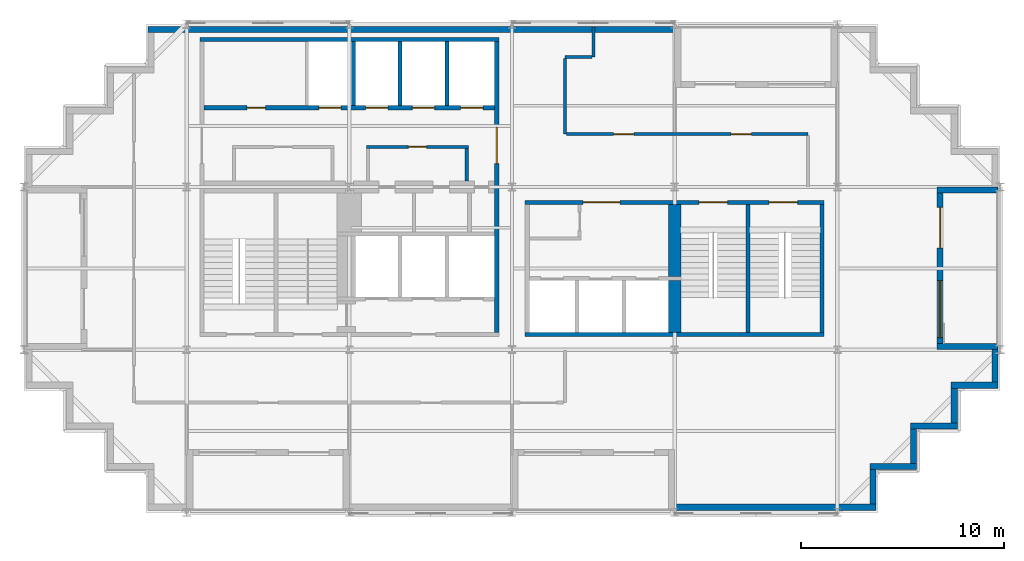
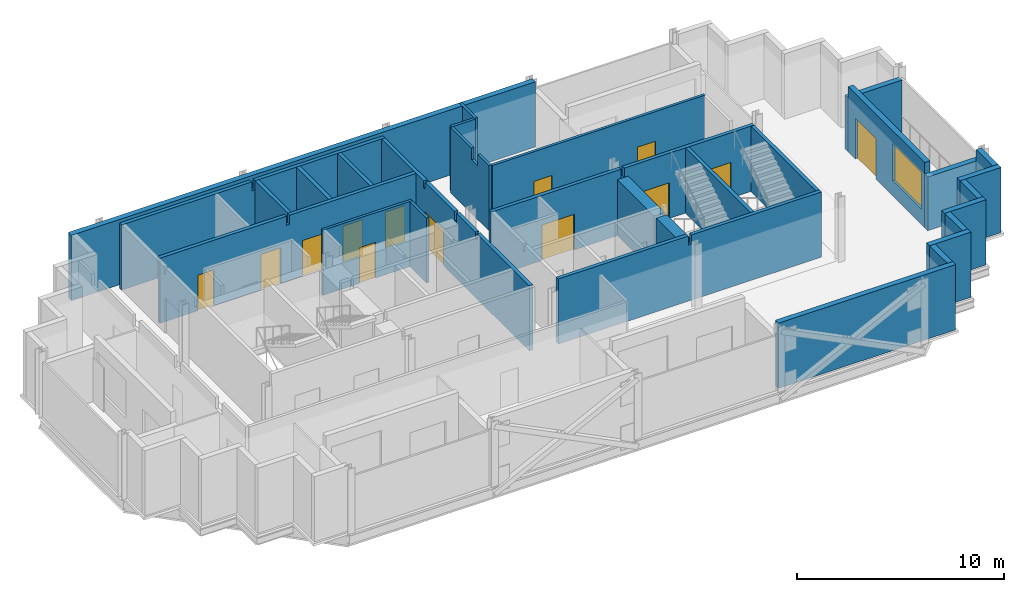
# One storey, part 6 of 8: 30 walls, 13 doors, 1 window, 14 openings.
"""IFC4 building model written with IfcOpenShell, lengths in metres."""

import ifcopenshell
import ifcopenshell.guid

model = None  # the IFC model being written
_history = None  # IfcOwnerHistory: only IFC2X3 demands one
_inside = {}  # id of a spatial element -> (the spatial element, [elements in it])
_under = {}  # id of a project, library or spatial element -> (it, [spatial elements below it])
_declared = {}  # id of a project -> (the project, [libraries it declares])
_typed = {}  # id of a type object -> (the type object, [elements of that type])
_made_of = {}  # id of a material, layer set ... -> (it, [elements and type objects made of it])


def new_model(schema):
    """Start an empty IFC model of exactly this schema.

    Asked for "IFC4X3", IfcOpenShell would pick the latest addendum, in which some entities
    have other attributes; the version numbers below select the first issue.
    IFC2X3 requires an IfcOwnerHistory on every rooted entity: one is made here for all.
    """
    global model, _history
    if schema == "IFC4X3":
        model = ifcopenshell.file(schema_version=(4, 3, 0, 0))
    else:
        model = ifcopenshell.file(schema=schema)
    _inside.clear()
    _under.clear()
    _declared.clear()
    _typed.clear()
    _made_of.clear()
    _history = None
    if model.schema == "IFC2X3":
        org = make("IfcOrganization", Name="unknown")
        user = make(
            "IfcPersonAndOrganization",
            ThePerson=make("IfcPerson", FamilyName="unknown"),
            TheOrganization=org,
        )
        app = make(
            "IfcApplication",
            ApplicationDeveloper=org,
            Version="unknown",
            ApplicationFullName="unknown",
            ApplicationIdentifier="unknown",
        )
        _history = make(
            "IfcOwnerHistory",
            OwningUser=user,
            OwningApplication=app,
            ChangeAction="ADDED",
            CreationDate=0,
        )
    return model


def make(cls, **values):
    """One entity of the class cls with the attributes given. An attribute that is None is left unset."""
    return model.create_entity(
        cls, **{name: value for name, value in values.items() if value is not None}
    )


def rooted(cls, **values):
    """An entity with a GlobalId (a new one), such as an element, a storey or a relation."""
    return make(cls, GlobalId=ifcopenshell.guid.new(), OwnerHistory=_history, **values)


def si_unit(unit_type, name, prefix=None):
    """IfcSIUnit, for example si_unit("LENGTHUNIT", "METRE", prefix="MILLI")."""
    return make("IfcSIUnit", UnitType=unit_type, Prefix=prefix, Name=name)


def assignment(units):
    """IfcUnitAssignment: the units of a project."""
    return None if units is None else make("IfcUnitAssignment", Units=units)


def point(xyz):
    """IfcCartesianPoint."""
    return None if xyz is None else make("IfcCartesianPoint", Coordinates=xyz)


def direction(xyz):
    """IfcDirection."""
    return None if xyz is None else make("IfcDirection", DirectionRatios=xyz)


def frame(location, z_axis=None, x_axis=None):
    """IfcAxis2Placement3D, a coordinate frame: its origin and axes. An axis left out is left unset."""
    return make(
        "IfcAxis2Placement3D",
        Location=point(location),
        Axis=direction(z_axis),
        RefDirection=direction(x_axis),
    )


def frame_2d(location, x_axis=None):
    """IfcAxis2Placement2D, a coordinate frame in the plane: its origin and x axis."""
    return make(
        "IfcAxis2Placement2D", Location=point(location), RefDirection=direction(x_axis)
    )


def origin():
    """The frame at (0, 0, 0) with its axes left unset."""
    return frame((0.0, 0.0, 0.0))


def place(relative_to, where):
    """IfcLocalPlacement: puts the frame where relative to a parent placement (None: the world)."""
    return make(
        "IfcLocalPlacement", PlacementRelTo=relative_to, RelativePlacement=where
    )


def context(
    kind, dimensions, precision=None, world=None, true_north=None, identifier=None
):
    """IfcGeometricRepresentationContext, for example the 3D "Model" context."""
    return make(
        "IfcGeometricRepresentationContext",
        ContextIdentifier=identifier,
        ContextType=kind,
        CoordinateSpaceDimension=dimensions,
        Precision=precision,
        WorldCoordinateSystem=world,
        TrueNorth=true_north,
    )


def subcontext(parent, identifier, kind, view, scale=None):
    """IfcGeometricRepresentationSubContext, for example "Body" below "Model"."""
    return make(
        "IfcGeometricRepresentationSubContext",
        ContextIdentifier=identifier,
        ContextType=kind,
        ParentContext=parent,
        TargetScale=scale,
        TargetView=view,
    )


def project(units=None, contexts=None):
    """IfcProject with its units and contexts."""
    return rooted(
        "IfcProject",
        Name="project",
        RepresentationContexts=contexts,
        UnitsInContext=assignment(units),
    )


def spatial(cls, under=None, at=None, **own):
    """A site, building, storey or space (cls), placed at a placement, below another one or the project."""
    s = rooted(cls, ObjectPlacement=at, **own)
    if under is not None:
        _under.setdefault(under.id(), (under, []))[1].append(s)
    return s


def polyline(points):
    """IfcPolyline through the points."""
    return make("IfcPolyline", Points=[point(p) for p in points])


def profile(cls, at=None, kind="AREA", **sizes):
    """A parametric profile (cls). Its sizes go by their IFC names, for example OverallWidth=200.0."""
    return make(cls, ProfileType=kind, Position=at, **sizes)


def rectangle(**sizes):
    """IfcRectangleProfileDef."""
    return profile("IfcRectangleProfileDef", **sizes)


def outline(outer, holes=None, kind="AREA"):
    """IfcArbitraryClosedProfileDef: a profile drawn as a closed curve; with holes, ...WithVoids."""
    if holes is None:
        return make("IfcArbitraryClosedProfileDef", ProfileType=kind, OuterCurve=outer)
    return make(
        "IfcArbitraryProfileDefWithVoids",
        ProfileType=kind,
        OuterCurve=outer,
        InnerCurves=holes,
    )


def extrude(swept, where, along, depth):
    """IfcExtrudedAreaSolid: the profile swept, set in the frame where, extruded along a direction by depth."""
    return make(
        "IfcExtrudedAreaSolid",
        SweptArea=swept,
        Position=where,
        ExtrudedDirection=direction(along),
        Depth=depth,
    )


def shape(context_of_items, identifier, shape_type, items):
    """IfcShapeRepresentation: the items that make up one representation, for example the "Body"."""
    return make(
        "IfcShapeRepresentation",
        ContextOfItems=context_of_items,
        RepresentationIdentifier=identifier,
        RepresentationType=shape_type,
        Items=items,
    )


def material(Name=None, Category=None):
    """IfcMaterial."""
    return make("IfcMaterial", Name=Name, Category=Category)


def layer(
    of_material, thickness, ventilated=None, Name=None, Category=None, Priority=None
):
    """IfcMaterialLayer: one layer of a wall or slab, of a material (None: an air gap)."""
    return make(
        "IfcMaterialLayer",
        Material=of_material,
        LayerThickness=thickness,
        IsVentilated=ventilated,
        Name=Name,
        Category=Category,
        Priority=Priority,
    )


def layer_set(layers, Name=None):
    """IfcMaterialLayerSet."""
    return make("IfcMaterialLayerSet", MaterialLayers=layers, LayerSetName=Name)


def made_of(thing, what):
    """Note that an element or type object is made of a material, layer set ...; save() writes the relation."""
    if what is not None:
        _made_of.setdefault(what.id(), (what, []))[1].append(thing)
    return thing


def type_object(cls, material=None, **own):
    """A type object (cls), such as IfcWallType, which elements share."""
    return made_of(rooted(cls, **own), material)


def element(
    cls,
    number,
    at=None,
    inside=None,
    cuts=None,
    type_object=None,
    material=None,
    context=None,
    identifier="Body",
    shape_type=None,
    held_by="IfcProductDefinitionShape",
    body=None,
    shapes=None,
    **own,
):
    """One element of the class cls, such as IfcWall. Its Tag is "e" and its number.

    at: its placement. inside: the storey or other place that contains it. cuts: it is an
    opening in that element (IfcRelVoidsElement). A single representation is given by context,
    identifier, shape_type and body (its items); several are given by shapes. held_by: the class
    of the entity that holds the representations. save() writes the other relations.
    """
    e = rooted(cls, Tag="e%d" % number, ObjectPlacement=at, **own)
    if body is not None:
        shapes = [shape(context, identifier, shape_type, body)]
    if shapes is not None:
        e.Representation = make(held_by, Representations=shapes)
    if inside is not None:
        _inside.setdefault(inside.id(), (inside, []))[1].append(e)
    if cuts is not None:
        rooted(
            "IfcRelVoidsElement", RelatingBuildingElement=cuts, RelatedOpeningElement=e
        )
    if type_object is not None:
        _typed.setdefault(type_object.id(), (type_object, []))[1].append(e)
    return made_of(e, material)


def fill(opening, filler):
    """IfcRelFillsElement: the door or window that sits in an opening."""
    return rooted(
        "IfcRelFillsElement",
        RelatingOpeningElement=opening,
        RelatedBuildingElement=filler,
    )


def aggregate(whole, parts):
    """IfcRelAggregates: a whole, such as a stair, and the parts it consists of."""
    return rooted("IfcRelAggregates", RelatingObject=whole, RelatedObjects=parts)


def save(model, path):
    """Write the relations noted so far, then the file.

    IfcRelAggregates (storeys below a building ...), IfcRelContainedInSpatialStructure (elements
    in a storey), IfcRelDefinesByType, IfcRelAssociatesMaterial and IfcRelDeclares: one each for
    every whole, place, type object, material and project.
    """
    for whole, parts in _under.values():
        aggregate(whole, parts)
    for where, things in _inside.values():
        rooted(
            "IfcRelContainedInSpatialStructure",
            RelatedElements=things,
            RelatingStructure=where,
        )
    for kind, things in _typed.values():
        rooted("IfcRelDefinesByType", RelatedObjects=things, RelatingType=kind)
    for what, things in _made_of.values():
        rooted("IfcRelAssociatesMaterial", RelatedObjects=things, RelatingMaterial=what)
    for by, libraries in _declared.values():
        rooted("IfcRelDeclares", RelatingContext=by, RelatedDefinitions=libraries)
    model.write(path)


model = new_model("IFC4")

# Units and contexts
model_context = context("Model", 3, precision=1e-05, world=origin(), true_north=direction((0.0, 1.0)))
body_context = subcontext(model_context, "Body", "Model", "MODEL_VIEW")
ifc_project = project(units=[si_unit("LENGTHUNIT", "METRE"), si_unit("AREAUNIT", "SQUARE_METRE"), si_unit("VOLUMEUNIT", "CUBIC_METRE"), si_unit("PLANEANGLEUNIT", "RADIAN"), si_unit("MASSUNIT", "GRAM", prefix="KILO")], contexts=[model_context])

# Site, building, storey
site_placement = place(None, origin())
site = spatial("IfcSite", under=ifc_project, at=site_placement, CompositionType="ELEMENT")
building_placement = place(site_placement, origin())
building = spatial("IfcBuilding", under=site, at=building_placement, Name="Immortelle Media Tower", CompositionType="ELEMENT")
storey_placement = place(building_placement, frame((0.0, 0.0, 267.0)))
storey = spatial("IfcBuildingStorey", under=building, at=storey_placement, Name="L58", CompositionType="ELEMENT", Elevation=267.0)

# Wall, opening, door
ifc_material_1 = material(Name="Fire-rated gypsum board", Category="gypsum")
ifc_layer_1 = layer(ifc_material_1, 0.02490234375)
ifc_material_2 = material(Name="Steel ASTM A653 SS Gr 50 stud frame with mineral wool", Category="steel")
ifc_layer_2 = layer(ifc_material_2, 0.10009765625)
ifc_layer_3 = layer(ifc_material_1, 0.02490234375)
ifc_layer_set_1 = layer_set([ifc_layer_1, ifc_layer_2, ifc_layer_3], Name="Steel ASTM A653 SS Gr 50 stud frame with mineral wool")
wall_type_1 = type_object("IfcWallType", Name="Core partition 150", PredefinedType="PARTITIONING", material=ifc_layer_set_1)
wall_1_placement = place(storey_placement, frame((16.85009765625, 17.97509765625, 0.0), z_axis=(0.0, 0.0, 1.0), x_axis=(1.0, 0.0, 0.0)))
wall_1 = element("IfcWall", 1, at=wall_1_placement, inside=storey, type_object=wall_type_1, Name="Core partition SW", PredefinedType="PARTITIONING", context=body_context, shape_type="SweptSolid", body=[
    extrude(rectangle(XDim=5.0, YDim=0.14990234375, at=frame_2d((2.5, 0.0))), origin(), (0.0, 0.0, 1.0), 3.85009765625),
])
opening_1_placement = place(wall_1_placement, frame((2.949951171875, 0.0, 0.0), z_axis=(0.0, 0.0, 1.0), x_axis=(-1.0, 0.0, 0.0)))
opening_1 = element("IfcOpeningElement", 2, at=opening_1_placement, cuts=wall_1, Name="Opening X3-K011", PredefinedType="OPENING", context=body_context, shape_type="SweptSolid", body=[
    extrude(rectangle(XDim=0.89990234375, YDim=2.10009765625, at=frame_2d((0.449951171875, 1.050048828125))), frame((0.0, 0.0849609375, 0.0), z_axis=(0.0, -1.0, 0.0), x_axis=(1.0, 0.0, 0.0)), (0.0, 0.0, 1.0), 0.169921875),
])
ifc_material_3 = material(Name="Timber", Category="wood")
door_type_1 = type_object("IfcDoorType", Name="Room door 900 x 2100", OperationType="NOTDEFINED", PredefinedType="NOTDEFINED", material=ifc_material_3)
door_1_placement = place(opening_1_placement, origin())
door_1 = element("IfcDoor", 3, at=door_1_placement, inside=storey, type_object=door_type_1, Name="Room X3-K011", OperationType="SINGLE_SWING_LEFT", OverallHeight=2.10009765625, OverallWidth=0.89990234375, PredefinedType="NOTDEFINED", context=body_context, shape_type="SweptSolid", body=[
    extrude(rectangle(XDim=0.89990234375, YDim=2.10009765625, at=frame_2d((0.449951171875, 1.050048828125))), frame((0.0, 0.02490234375, 0.0), z_axis=(0.0, -1.0, 0.0), x_axis=(1.0, 0.0, 0.0)), (0.0, 0.0, 1.0), 0.050048828125),
])
fill(opening_1, door_1)

# Walls
wall_2_placement = place(storey_placement, frame((21.77490234375, 16.300048828125, 0.0), z_axis=(0.0, 0.0, 1.0), x_axis=(0.0, 1.0, 0.0)))
element("IfcWall", 4, at=wall_2_placement, inside=storey, type_object=wall_type_1, Name="Core partition SW", PredefinedType="PARTITIONING", context=body_context, shape_type="SweptSolid", body=[
    extrude(rectangle(XDim=1.599853515625, YDim=0.14990234375, at=frame_2d((0.7998046875, 0.0))), origin(), (0.0, 0.0, 1.0), 3.85009765625),
])
ifc_layer_4 = layer(ifc_material_1, 0.03759765625)
ifc_layer_5 = layer(ifc_material_2, 0.125)
ifc_layer_6 = layer(ifc_material_1, 0.03759765625)
ifc_layer_set_2 = layer_set([ifc_layer_4, ifc_layer_5, ifc_layer_6], Name="Steel ASTM A653 SS Gr 50 stud frame with mineral wool")
wall_type_2 = type_object("IfcWallType", Name="Core shaft wall 200", PredefinedType="PARTITIONING", material=ifc_layer_set_2)
wall_3_placement = place(storey_placement, frame((8.64990234375, 23.25, 0.0), z_axis=(0.0, 0.0, 1.0), x_axis=(1.0, 0.0, 0.0)))
element("IfcWall", 5, at=wall_3_placement, inside=storey, type_object=wall_type_2, Name="Core shaft wall SW", PredefinedType="PARTITIONING", context=body_context, shape_type="SweptSolid", body=[
    extrude(outline(polyline([(0.0, 0.0), (14.7001953125, 0.0), (14.699951171875, 3.85009765625), (7.4384765625, 3.85009765625), (7.4375, 3.30810546875), (7.262451171875, 3.30810546875), (7.261474609375, 3.85009765625), (0.0, 3.85009765625), (0.0, 0.0)])), frame((0.0, 0.10009765625, 0.0), z_axis=(0.0, -1.0, 0.0), x_axis=(1.0, 0.0, 0.0)), (0.0, 0.0, 1.0), 0.199951171875),
])

# Wall, openings, doors
wall_4_placement = place(storey_placement, frame((8.85009765625, 19.89990234375, 0.0), z_axis=(0.0, 0.0, 1.0), x_axis=(1.0, 0.0, 0.0)))
wall_4 = element("IfcWall", 6, at=wall_4_placement, inside=storey, type_object=wall_type_2, Name="Core shaft wall SW", PredefinedType="PARTITIONING", context=body_context, shape_type="SweptSolid", body=[
    extrude(outline(polyline([(0.0, 0.0), (14.2998046875, 0.0), (14.300048828125, 3.85009765625), (7.238525390625, 3.85009765625), (7.237548828125, 3.30810546875), (7.0625, 3.30810546875), (7.0615234375, 3.85009765625), (0.0, 3.85009765625), (0.0, 0.0)])), frame((0.0, 0.10009765625, 0.0), z_axis=(0.0, -1.0, 0.0), x_axis=(1.0, 0.0, 0.0)), (0.0, 0.0, 1.0), 0.199951171875),
])
opening_2_placement = place(wall_4_placement, frame((2.125, 0.0, 0.0)))
opening_2 = element("IfcOpeningElement", 7, at=opening_2_placement, cuts=wall_4, Name="Opening X3-K003", PredefinedType="OPENING", context=body_context, shape_type="SweptSolid", body=[
    extrude(rectangle(XDim=0.89990234375, YDim=2.10009765625, at=frame_2d((0.449951171875, 1.050048828125))), frame((0.0, 0.10986328125, 0.0), z_axis=(0.0, -1.0, 0.0), x_axis=(1.0, 0.0, 0.0)), (0.0, 0.0, 1.0), 0.219970703125),
])
opening_3_placement = place(wall_4_placement, frame((5.64990234375, 0.0, 0.0)))
opening_3 = element("IfcOpeningElement", 8, at=opening_3_placement, cuts=wall_4, Name="Opening LD", PredefinedType="OPENING", context=body_context, shape_type="SweptSolid", body=[
    extrude(rectangle(XDim=1.10009765625, YDim=2.10009765625, at=frame_2d((0.550048828125, 1.050048828125))), frame((0.0, 0.10986328125, 0.0), z_axis=(0.0, -1.0, 0.0), x_axis=(1.0, 0.0, 0.0)), (0.0, 0.0, 1.0), 0.219970703125),
])
opening_4_placement = place(wall_4_placement, frame((7.949951171875, 0.0, 0.0)))
opening_4 = element("IfcOpeningElement", 9, at=opening_4_placement, cuts=wall_4, Name="Opening LD", PredefinedType="OPENING", context=body_context, shape_type="SweptSolid", body=[
    extrude(rectangle(XDim=1.10009765625, YDim=2.10009765625, at=frame_2d((0.550048828125, 1.050048828125))), frame((0.0, 0.10986328125, 0.0), z_axis=(0.0, -1.0, 0.0), x_axis=(1.0, 0.0, 0.0)), (0.0, 0.0, 1.0), 0.219970703125),
])
opening_5_placement = place(wall_4_placement, frame((10.25, 0.0, 0.0)))
opening_5 = element("IfcOpeningElement", 10, at=opening_5_placement, cuts=wall_4, Name="Opening LD", PredefinedType="OPENING", context=body_context, shape_type="SweptSolid", body=[
    extrude(rectangle(XDim=1.10009765625, YDim=2.10009765625, at=frame_2d((0.550048828125, 1.050048828125))), frame((0.0, 0.10986328125, 0.0), z_axis=(0.0, -1.0, 0.0), x_axis=(1.0, 0.0, 0.0)), (0.0, 0.0, 1.0), 0.219970703125),
])
opening_6_placement = place(wall_4_placement, frame((12.625, 0.0, 0.0)))
opening_6 = element("IfcOpeningElement", 11, at=opening_6_placement, cuts=wall_4, Name="Opening LD", PredefinedType="OPENING", context=body_context, shape_type="SweptSolid", body=[
    extrude(rectangle(XDim=1.10009765625, YDim=2.10009765625, at=frame_2d((0.550048828125, 1.050048828125))), frame((0.0, 0.10986328125, 0.0), z_axis=(0.0, -1.0, 0.0), x_axis=(1.0, 0.0, 0.0)), (0.0, 0.0, 1.0), 0.219970703125),
])
ifc_material_4 = material(Name="Stainless steel AISI 304", Category="steel")
door_type_2 = type_object("IfcDoorType", Name="Landing door 1100 x 2100", OperationType="SLIDING_TO_LEFT", PredefinedType="NOTDEFINED", material=ifc_material_4)
door_2_placement = place(opening_3_placement, origin())
door_2 = element("IfcDoor", 12, at=door_2_placement, inside=storey, type_object=door_type_2, Name="Landing door HR1 L58", OperationType="SLIDING_TO_LEFT", OverallHeight=2.10009765625, OverallWidth=1.10009765625, PredefinedType="NOTDEFINED", context=body_context, shape_type="SweptSolid", body=[
    extrude(rectangle(XDim=1.10009765625, YDim=2.10009765625, at=frame_2d((0.550048828125, 1.050048828125))), frame((0.0, 0.02490234375, 0.0), z_axis=(0.0, -1.0, 0.0), x_axis=(1.0, 0.0, 0.0)), (0.0, 0.0, 1.0), 0.050048828125),
])
fill(opening_3, door_2)
door_3_placement = place(opening_4_placement, origin())
door_3 = element("IfcDoor", 13, at=door_3_placement, inside=storey, type_object=door_type_2, Name="Landing door HR2 L58", OperationType="SLIDING_TO_LEFT", OverallHeight=2.10009765625, OverallWidth=1.10009765625, PredefinedType="NOTDEFINED", context=body_context, shape_type="SweptSolid", body=[
    extrude(rectangle(XDim=1.10009765625, YDim=2.10009765625, at=frame_2d((0.550048828125, 1.050048828125))), frame((0.0, 0.02490234375, 0.0), z_axis=(0.0, -1.0, 0.0), x_axis=(1.0, 0.0, 0.0)), (0.0, 0.0, 1.0), 0.050048828125),
])
fill(opening_4, door_3)
door_4_placement = place(opening_5_placement, origin())
door_4 = element("IfcDoor", 14, at=door_4_placement, inside=storey, type_object=door_type_2, Name="Landing door HR3 L58", OperationType="SLIDING_TO_LEFT", OverallHeight=2.10009765625, OverallWidth=1.10009765625, PredefinedType="NOTDEFINED", context=body_context, shape_type="SweptSolid", body=[
    extrude(rectangle(XDim=1.10009765625, YDim=2.10009765625, at=frame_2d((0.550048828125, 1.050048828125))), frame((0.0, 0.02490234375, 0.0), z_axis=(0.0, -1.0, 0.0), x_axis=(1.0, 0.0, 0.0)), (0.0, 0.0, 1.0), 0.050048828125),
])
fill(opening_5, door_4)
door_5_placement = place(opening_6_placement, origin())
door_5 = element("IfcDoor", 15, at=door_5_placement, inside=storey, type_object=door_type_2, Name="Landing door HR4 L58", OperationType="SLIDING_TO_LEFT", OverallHeight=2.10009765625, OverallWidth=1.10009765625, PredefinedType="NOTDEFINED", context=body_context, shape_type="SweptSolid", body=[
    extrude(rectangle(XDim=1.10009765625, YDim=2.10009765625, at=frame_2d((0.550048828125, 1.050048828125))), frame((0.0, 0.02490234375, 0.0), z_axis=(0.0, -1.0, 0.0), x_axis=(1.0, 0.0, 0.0)), (0.0, 0.0, 1.0), 0.050048828125),
])
fill(opening_6, door_5)
door_6_placement = place(opening_2_placement, origin())
door_6 = element("IfcDoor", 16, at=door_6_placement, inside=storey, type_object=door_type_1, Name="Room X3-K003", OperationType="SINGLE_SWING_LEFT", OverallHeight=2.10009765625, OverallWidth=0.89990234375, PredefinedType="NOTDEFINED", context=body_context, shape_type="SweptSolid", body=[
    extrude(rectangle(XDim=0.89990234375, YDim=2.10009765625, at=frame_2d((0.449951171875, 1.050048828125))), frame((0.0, 0.02490234375, 0.0), z_axis=(0.0, -1.0, 0.0), x_axis=(1.0, 0.0, 0.0)), (0.0, 0.0, 1.0), 0.050048828125),
])
fill(opening_2, door_6)

# Walls
for number, where, z_axis, x_axis, name in (
    (17, (16.199951171875, 20.0, 0.0), (0.0, 0.0, 1.0), (0.0, 1.0, 0.0), "Core shaft wall SW"),
    (18, (18.5, 20.0, 0.0), (0.0, 0.0, 1.0), (0.0, 1.0, 0.0), "Core shaft wall SW"),
    (19, (20.800048828125, 20.0, 0.0), (0.0, 0.0, 1.0), (0.0, 1.0, 0.0), "Core shaft wall SW"),
):
    element("IfcWall", number, at=place(storey_placement, frame(where, z_axis=z_axis, x_axis=x_axis)), inside=storey, type_object=wall_type_2, Name=name, PredefinedType="PARTITIONING", context=body_context, shape_type="SweptSolid", body=[
        extrude(rectangle(XDim=3.14990234375, YDim=0.199951171875, at=frame_2d((1.574951171875, 0.0))), origin(), (0.0, 0.0, 1.0), 3.85009765625),
    ])

# Wall, opening, door
wall_5_placement = place(storey_placement, frame((23.25, 8.85009765625, 0.0), z_axis=(0.0, 0.0, 1.0), x_axis=(0.0, 1.0, 0.0)))
wall_5 = element("IfcWall", 20, at=wall_5_placement, inside=storey, type_object=wall_type_2, Name="Core shaft wall SW", PredefinedType="PARTITIONING", context=body_context, shape_type="SweptSolid", body=[
    extrude(outline(polyline([(0.0, 0.0), (14.2998046875, 0.0), (14.300048828125, 3.85009765625), (10.22509765625, 3.85009765625), (10.22412109375, 3.43994140625), (10.075927734375, 3.43994140625), (10.074951171875, 3.85009765625), (7.238525390625, 3.85009765625), (7.237548828125, 3.30810546875), (7.0625, 3.30810546875), (7.0615234375, 3.85009765625), (5.22509765625, 3.85009765625), (5.22412109375, 3.43994140625), (5.075927734375, 3.43994140625), (5.074951171875, 3.85009765625), (0.0, 3.85009765625), (0.0, 0.0)])), frame((0.0, 0.10009765625, 0.0), z_axis=(0.0, -1.0, 0.0), x_axis=(1.0, 0.0, 0.0)), (0.0, 0.0, 1.0), 0.199951171875),
])
opening_7_placement = place(wall_5_placement, frame((8.300048828125, 0.0, 0.0)))
opening_7 = element("IfcOpeningElement", 21, at=opening_7_placement, cuts=wall_5, Name="Opening X3-K019", PredefinedType="OPENING", context=body_context, shape_type="SweptSolid", body=[
    extrude(rectangle(XDim=1.800048828125, YDim=2.10009765625, at=frame_2d((0.89990234375, 1.050048828125))), frame((0.0, 0.10986328125, 0.0), z_axis=(0.0, -1.0, 0.0), x_axis=(1.0, 0.0, 0.0)), (0.0, 0.0, 1.0), 0.219970703125),
])
ifc_material_5 = material(Name="Galvanised steel door leaf and frame ASTM A653", Category="steel")
door_type_3 = type_object("IfcDoorType", Name="Lift lobby door 1800 x 2100", OperationType="DOUBLE_DOOR_SINGLE_SWING", PredefinedType="NOTDEFINED", material=ifc_material_5)
door_7_placement = place(opening_7_placement, origin())
door_7 = element("IfcDoor", 22, at=door_7_placement, inside=storey, type_object=door_type_3, Name="Lift lobby X3-K019", OperationType="DOUBLE_DOOR_SINGLE_SWING", OverallHeight=2.10009765625, OverallWidth=1.800048828125, PredefinedType="NOTDEFINED", context=body_context, shape_type="SweptSolid", body=[
    extrude(rectangle(XDim=1.800048828125, YDim=2.10009765625, at=frame_2d((0.89990234375, 1.050048828125))), frame((0.0, 0.02490234375, 0.0), z_axis=(0.0, -1.0, 0.0), x_axis=(1.0, 0.0, 0.0)), (0.0, 0.0, 1.0), 0.050048828125),
])
fill(opening_7, door_7)

# Wall, openings, doors
ifc_layer_7 = layer(ifc_material_1, 0.012451171875)
ifc_layer_8 = layer(ifc_material_2, 0.125)
ifc_layer_9 = layer(ifc_material_1, 0.012451171875)
ifc_layer_set_3 = layer_set([ifc_layer_7, ifc_layer_8, ifc_layer_9], Name="Steel ASTM A653 SS Gr 50 stud frame with mineral wool")
wall_type_3 = type_object("IfcWallType", Name="Corridor wall 150", PredefinedType="PARTITIONING", material=ifc_layer_set_3)
wall_6_placement = place(storey_placement, frame((26.675048828125, 18.60009765625, 0.0), z_axis=(0.0, 0.0, 1.0), x_axis=(1.0, 0.0, 0.0)))
wall_6 = element("IfcWall", 23, at=wall_6_placement, inside=storey, type_object=wall_type_3, Name="Partition L58-011", PredefinedType="PARTITIONING", context=body_context, shape_type="SweptSolid", body=[
    extrude(rectangle(XDim=11.875, YDim=0.14990234375, at=frame_2d((5.9375, 0.0))), origin(), (0.0, 0.0, 1.0), 3.85009765625),
])
opening_8_placement = place(wall_6_placement, frame((8.10009765625, 0.0, 0.0)))
opening_8 = element("IfcOpeningElement", 24, at=opening_8_placement, cuts=wall_6, Name="Opening X3-F007", PredefinedType="OPENING", context=body_context, shape_type="SweptSolid", body=[
    extrude(rectangle(XDim=1.0, YDim=2.10009765625, at=frame_2d((0.5, 1.050048828125))), frame((0.0, 0.0849609375, 0.0), z_axis=(0.0, -1.0, 0.0), x_axis=(1.0, 0.0, 0.0)), (0.0, 0.0, 1.0), 0.169921875),
])
opening_9_placement = place(wall_6_placement, frame((2.324951171875, 0.0, 0.0)))
opening_9 = element("IfcOpeningElement", 25, at=opening_9_placement, cuts=wall_6, Name="Opening X3-F008", PredefinedType="OPENING", context=body_context, shape_type="SweptSolid", body=[
    extrude(rectangle(XDim=1.0, YDim=2.10009765625, at=frame_2d((0.5, 1.050048828125))), frame((0.0, 0.0849609375, 0.0), z_axis=(0.0, -1.0, 0.0), x_axis=(1.0, 0.0, 0.0)), (0.0, 0.0, 1.0), 0.169921875),
])
ifc_material_6 = material(Name="Timber veneered door leaf, galvanised steel frame ASTM A653", Category="steel")
door_type_4 = type_object("IfcDoorType", Name="Room door 1000 x 2100", OperationType="NOTDEFINED", PredefinedType="DOOR", material=ifc_material_6)
door_8_placement = place(opening_8_placement, origin())
door_8 = element("IfcDoor", 26, at=door_8_placement, inside=storey, type_object=door_type_4, Name="Door X3-F007", OperationType="SINGLE_SWING_LEFT", OverallHeight=2.10009765625, OverallWidth=1.0, PredefinedType="DOOR", context=body_context, shape_type="SweptSolid", body=[
    extrude(rectangle(XDim=1.0, YDim=2.10009765625, at=frame_2d((0.5, 1.050048828125))), frame((0.0, 0.02490234375, 0.0), z_axis=(0.0, -1.0, 0.0), x_axis=(1.0, 0.0, 0.0)), (0.0, 0.0, 1.0), 0.050048828125),
])
fill(opening_8, door_8)
door_9_placement = place(opening_9_placement, origin())
door_9 = element("IfcDoor", 27, at=door_9_placement, inside=storey, type_object=door_type_4, Name="Door X3-F008", OperationType="SINGLE_SWING_RIGHT", OverallHeight=2.10009765625, OverallWidth=1.0, PredefinedType="DOOR", context=body_context, shape_type="SweptSolid", body=[
    extrude(rectangle(XDim=1.0, YDim=2.10009765625, at=frame_2d((0.5, 1.050048828125))), frame((0.0, 0.02490234375, 0.0), z_axis=(0.0, -1.0, 0.0), x_axis=(1.0, 0.0, 0.0)), (0.0, 0.0, 1.0), 0.050048828125),
])
fill(opening_9, door_9)

# Walls
wall_7_placement = place(storey_placement, frame((26.60009765625, 18.60009765625, 0.0), z_axis=(0.0, 0.0, 1.0), x_axis=(0.0, 1.0, 0.0)))
element("IfcWall", 28, at=wall_7_placement, inside=storey, type_object=wall_type_3, Name="Partition L58-012", PredefinedType="PARTITIONING", context=body_context, shape_type="SweptSolid", body=[
    extrude(outline(polyline([(0.0, 0.0), (3.724853515625, 0.0), (3.72509765625, 3.85009765625), (1.699951171875, 3.85009765625), (1.697998046875, 3.172119140625), (1.10205078125, 3.172119140625), (1.10009765625, 3.85009765625), (0.0, 3.85009765625), (0.0, 0.0)])), frame((0.0, 0.074951171875, 0.0), z_axis=(0.0, -1.0, 0.0), x_axis=(1.0, 0.0, 0.0)), (0.0, 0.0, 1.0), 0.14990234375),
])
wall_8_placement = place(storey_placement, frame((26.60009765625, 22.39990234375, 0.0), z_axis=(0.0, 0.0, 1.0), x_axis=(1.0, 0.0, 0.0)))
element("IfcWall", 29, at=wall_8_placement, inside=storey, type_object=wall_type_3, Name="Partition L58-014", PredefinedType="PARTITIONING", context=body_context, shape_type="SweptSolid", body=[
    extrude(rectangle(XDim=1.324951171875, YDim=0.14990234375, at=frame_2d((0.66259765625, 0.0))), origin(), (0.0, 0.0, 1.0), 3.85009765625),
])
wall_9_placement = place(storey_placement, frame((28.0, 22.39990234375, 0.0), z_axis=(0.0, 0.0, 1.0), x_axis=(0.0, 1.0, 0.0)))
element("IfcWall", 30, at=wall_9_placement, inside=storey, type_object=wall_type_3, Name="Partition L58-015", PredefinedType="PARTITIONING", context=body_context, shape_type="SweptSolid", body=[
    extrude(rectangle(XDim=1.47021484375, YDim=0.14990234375, at=frame_2d((0.735107421875, 0.0))), origin(), (0.0, 0.0, 1.0), 3.85009765625),
])
ifc_material_7 = material(Name="Pale aluminium cladding panel", Category="aluminium")
ifc_layer_10 = layer(ifc_material_7, 0.030029296875)
ifc_layer_11 = layer(ifc_material_2, 0.257568359375)
ifc_material_8 = material(Name="Moisture-resistant gypsum board", Category="gypsum")
ifc_layer_12 = layer(ifc_material_8, 0.012451171875)
ifc_layer_set_4 = layer_set([ifc_layer_10, ifc_layer_11, ifc_layer_12], Name="Steel ASTM A653 SS Gr 50 stud frame with mineral wool")
wall_type_4 = type_object("IfcWallType", Name="Facade wall 300", PredefinedType="SOLIDWALL", material=ifc_layer_set_4)
wall_10_placement = place(storey_placement, frame((32.0, 0.25, 0.0), z_axis=(0.0, 0.0, 1.0), x_axis=(1.0, 0.0, 0.0)))
element("IfcWall", 31, at=wall_10_placement, inside=storey, type_object=wall_type_4, Name="Facade wall L58 S6", PredefinedType="SOLIDWALL", context=body_context, shape_type="SweptSolid", body=[
    extrude(rectangle(XDim=9.89990234375, YDim=0.300048828125, at=frame_2d((4.949951171875, 0.0))), origin(), (0.0, 0.0, 1.0), 3.85009765625),
])
wall_11_placement = place(storey_placement, frame((41.75, 0.39990234375, 0.0), z_axis=(0.0, 0.0, 1.0), x_axis=(0.0, 1.0, 0.0)))
element("IfcWall", 32, at=wall_11_placement, inside=storey, type_object=wall_type_4, Name="Facade wall L58 E7", PredefinedType="SOLIDWALL", context=body_context, shape_type="SweptSolid", body=[
    extrude(rectangle(XDim=1.7001953125, YDim=0.300048828125, at=frame_2d((0.85009765625, 0.0))), origin(), (0.0, 0.0, 1.0), 3.85009765625),
])
wall_12_placement = place(storey_placement, frame((41.60009765625, 2.25, 0.0), z_axis=(0.0, 0.0, 1.0), x_axis=(1.0, 0.0, 0.0)))
element("IfcWall", 33, at=wall_12_placement, inside=storey, type_object=wall_type_4, Name="Facade wall L58 S8", PredefinedType="SOLIDWALL", context=body_context, shape_type="SweptSolid", body=[
    extrude(rectangle(XDim=2.2998046875, YDim=0.300048828125, at=frame_2d((1.14990234375, 0.0))), origin(), (0.0, 0.0, 1.0), 3.85009765625),
])
wall_13_placement = place(storey_placement, frame((43.75, 2.39990234375, 0.0), z_axis=(0.0, 0.0, 1.0), x_axis=(0.0, 1.0, 0.0)))
element("IfcWall", 34, at=wall_13_placement, inside=storey, type_object=wall_type_4, Name="Facade wall L58 E9", PredefinedType="SOLIDWALL", context=body_context, shape_type="SweptSolid", body=[
    extrude(rectangle(XDim=1.7001953125, YDim=0.300048828125, at=frame_2d((0.85009765625, 0.0))), origin(), (0.0, 0.0, 1.0), 3.85009765625),
])
wall_14_placement = place(storey_placement, frame((43.60009765625, 4.25, 0.0), z_axis=(0.0, 0.0, 1.0), x_axis=(1.0, 0.0, 0.0)))
element("IfcWall", 35, at=wall_14_placement, inside=storey, type_object=wall_type_4, Name="Facade wall L58 S10", PredefinedType="SOLIDWALL", context=body_context, shape_type="SweptSolid", body=[
    extrude(rectangle(XDim=2.2998046875, YDim=0.300048828125, at=frame_2d((1.14990234375, 0.0))), origin(), (0.0, 0.0, 1.0), 3.85009765625),
])
wall_15_placement = place(storey_placement, frame((45.75, 4.39990234375, 0.0), z_axis=(0.0, 0.0, 1.0), x_axis=(0.0, 1.0, 0.0)))
element("IfcWall", 36, at=wall_15_placement, inside=storey, type_object=wall_type_4, Name="Facade wall L58 E11", PredefinedType="SOLIDWALL", context=body_context, shape_type="SweptSolid", body=[
    extrude(rectangle(XDim=1.7001953125, YDim=0.300048828125, at=frame_2d((0.85009765625, 0.0))), origin(), (0.0, 0.0, 1.0), 3.85009765625),
])
wall_16_placement = place(storey_placement, frame((45.60009765625, 6.25, 0.0), z_axis=(0.0, 0.0, 1.0), x_axis=(1.0, 0.0, 0.0)))
element("IfcWall", 37, at=wall_16_placement, inside=storey, type_object=wall_type_4, Name="Facade wall L58 S12", PredefinedType="SOLIDWALL", context=body_context, shape_type="SweptSolid", body=[
    extrude(rectangle(XDim=2.2998046875, YDim=0.300048828125, at=frame_2d((1.14990234375, 0.0))), origin(), (0.0, 0.0, 1.0), 3.85009765625),
])
wall_17_placement = place(storey_placement, frame((47.75, 6.39990234375, 0.0), z_axis=(0.0, 0.0, 1.0), x_axis=(0.0, 1.0, 0.0)))
element("IfcWall", 38, at=wall_17_placement, inside=storey, type_object=wall_type_4, Name="Facade wall L58 E13", PredefinedType="SOLIDWALL", context=body_context, shape_type="SweptSolid", body=[
    extrude(rectangle(XDim=1.60009765625, YDim=0.300048828125, at=frame_2d((0.800048828125, 0.0))), origin(), (0.0, 0.0, 1.0), 3.85009765625),
])

# Wall, openings, door, window
wall_18_placement = place(storey_placement, frame((45.050048828125, 8.300048828125, 0.0), z_axis=(0.0, 0.0, 1.0), x_axis=(0.0, 1.0, 0.0)))
wall_18 = element("IfcWall", 39, at=wall_18_placement, inside=storey, type_object=wall_type_4, Name="Loggia wall L58 E13", PredefinedType="SOLIDWALL", context=body_context, shape_type="SweptSolid", body=[
    extrude(rectangle(XDim=7.39990234375, YDim=0.300048828125, at=frame_2d((3.699951171875, 0.0))), origin(), (0.0, 0.0, 1.0), 3.85009765625),
])
opening_10_placement = place(wall_18_placement, frame((0.300048828125, 0.0, 0.89990234375)))
opening_10 = element("IfcOpeningElement", 40, at=opening_10_placement, cuts=wall_18, Name="Opening W1", PredefinedType="OPENING", context=body_context, shape_type="SweptSolid", body=[
    extrude(rectangle(XDim=2.800048828125, YDim=2.199951171875, at=frame_2d((1.39990234375, 1.10009765625))), frame((0.0, 0.159912109375, 0.0), z_axis=(0.0, -1.0, 0.0), x_axis=(1.0, 0.0, 0.0)), (0.0, 0.0, 1.0), 0.320068359375),
])
opening_11_placement = place(wall_18_placement, frame((4.699951171875, 0.0, 0.0)))
opening_11 = element("IfcOpeningElement", 41, at=opening_11_placement, cuts=wall_18, Name="Opening X3-E003", PredefinedType="OPENING", context=body_context, shape_type="SweptSolid", body=[
    extrude(rectangle(XDim=2.0, YDim=2.39990234375, at=frame_2d((1.0, 1.199951171875))), frame((0.0, 0.159912109375, 0.0), z_axis=(0.0, -1.0, 0.0), x_axis=(1.0, 0.0, 0.0)), (0.0, 0.0, 1.0), 0.320068359375),
])
ifc_material_9 = material(Name="Aluminium frame, glazed leaves", Category="aluminium")
door_type_5 = type_object("IfcDoorType", Name="Loggia door 2000 x 2400", OperationType="DOUBLE_DOOR_SINGLE_SWING", PredefinedType="DOOR", material=ifc_material_9)
door_10_placement = place(opening_11_placement, origin())
door_10 = element("IfcDoor", 42, at=door_10_placement, inside=storey, type_object=door_type_5, Name="Door X3-E003", OperationType="DOUBLE_DOOR_SINGLE_SWING", OverallHeight=2.39990234375, OverallWidth=2.0, PredefinedType="DOOR", context=body_context, shape_type="SweptSolid", body=[
    extrude(rectangle(XDim=2.0, YDim=2.39990234375, at=frame_2d((1.0, 1.199951171875))), frame((0.0, 0.02490234375, 0.0), z_axis=(0.0, -1.0, 0.0), x_axis=(1.0, 0.0, 0.0)), (0.0, 0.0, 1.0), 0.050048828125),
])
fill(opening_11, door_10)
ifc_material_10 = material(Name="Aluminium frame", Category="aluminium")
window_type = type_object("IfcWindowType", Name="Window 2800 x 2200", PartitioningType="SINGLE_PANEL", PredefinedType="WINDOW", material=ifc_material_10)
window_placement = place(opening_10_placement, origin())
window = element("IfcWindow", 43, at=window_placement, inside=storey, type_object=window_type, Name="Window L58 L58-R13-B0", OverallHeight=2.199951171875, OverallWidth=2.800048828125, PartitioningType="SINGLE_PANEL", PredefinedType="WINDOW", context=body_context, shape_type="SweptSolid", body=[
    extrude(rectangle(XDim=2.800048828125, YDim=2.199951171875, at=frame_2d((1.39990234375, 1.10009765625))), frame((0.0, 0.030029296875, 0.0), z_axis=(0.0, -1.0, 0.0), x_axis=(1.0, 0.0, 0.0)), (0.0, 0.0, 1.0), 0.06005859375),
])
fill(opening_10, window)

# Walls
for number, where, z_axis, x_axis, name in (
    (44, (47.89990234375, 8.14990234375, 0.0), (0.0, 0.0, 1.0), (-1.0, 0.0, 0.0), "Loggia cheek wall L58 E"),
    (45, (47.89990234375, 15.85009765625, 0.0), (0.0, 0.0, 1.0), (-1.0, 0.0, 0.0), "Loggia cheek wall L58 E"),
):
    element("IfcWall", number, at=place(storey_placement, frame(where, z_axis=z_axis, x_axis=x_axis)), inside=storey, type_object=wall_type_4, Name=name, PredefinedType="SOLIDWALL", context=body_context, shape_type="SweptSolid", body=[
        extrude(rectangle(XDim=3.0, YDim=0.300048828125, at=frame_2d((1.5, 0.0))), origin(), (0.0, 0.0, 1.0), 3.1708984375),
    ])
wall_19_placement = place(storey_placement, frame((32.0, 23.75, 0.0), z_axis=(0.0, 0.0, 1.0), x_axis=(-1.0, 0.0, 0.0)))
element("IfcWall", 46, at=wall_19_placement, inside=storey, type_object=wall_type_4, Name="Facade wall L58 N20", PredefinedType="SOLIDWALL", context=body_context, shape_type="SweptSolid", body=[
    extrude(rectangle(XDim=25.89990234375, YDim=0.300048828125, at=frame_2d((12.949951171875, 0.0))), origin(), (0.0, 0.0, 1.0), 3.85009765625),
])
ifc_material_11 = material(Name="Concrete C60", Category="concrete")
ifc_layer_13 = layer(ifc_material_11, 0.199951171875)
ifc_layer_set_5 = layer_set([ifc_layer_13], Name="Concrete C60")
wall_type_5 = type_object("IfcWallType", Name="Stair shaft wall 200", PredefinedType="PARTITIONING", material=ifc_layer_set_5)
wall_20_placement = place(storey_placement, frame((24.64990234375, 8.75, 0.0), z_axis=(0.0, 0.0, 1.0), x_axis=(1.0, 0.0, 0.0)))
element("IfcWall", 47, at=wall_20_placement, inside=storey, type_object=wall_type_5, Name="Stair shaft wall SE", PredefinedType="PARTITIONING", context=body_context, shape_type="SweptSolid", body=[
    extrude(outline(polyline([(0.0, 0.0), (14.7001953125, 0.0), (14.699951171875, 3.85009765625), (7.4384765625, 3.85009765625), (7.4375, 3.30810546875), (7.262451171875, 3.30810546875), (7.261474609375, 3.85009765625), (0.0, 3.85009765625), (0.0, 0.0)])), frame((0.0, 0.10009765625, 0.0), z_axis=(0.0, -1.0, 0.0), x_axis=(1.0, 0.0, 0.0)), (0.0, 0.0, 1.0), 0.199951171875),
])

# Wall, openings, doors
wall_21_placement = place(storey_placement, frame((24.64990234375, 15.25, 0.0), z_axis=(0.0, 0.0, 1.0), x_axis=(1.0, 0.0, 0.0)))
wall_21 = element("IfcWall", 48, at=wall_21_placement, inside=storey, type_object=wall_type_5, Name="Stair shaft wall SE", PredefinedType="PARTITIONING", context=body_context, shape_type="SweptSolid", body=[
    extrude(outline(polyline([(0.0, 0.0), (14.7001953125, 0.0), (14.699951171875, 3.85009765625), (7.4384765625, 3.85009765625), (7.4375, 3.30810546875), (7.262451171875, 3.30810546875), (7.261474609375, 3.85009765625), (0.0, 3.85009765625), (0.0, 0.0)])), frame((0.0, 0.10009765625, 0.0), z_axis=(0.0, -1.0, 0.0), x_axis=(1.0, 0.0, 0.0)), (0.0, 0.0, 1.0), 0.199951171875),
])
opening_12_placement = place(wall_21_placement, frame((2.85009765625, 0.0, 0.0)))
opening_12 = element("IfcOpeningElement", 49, at=opening_12_placement, cuts=wall_21, Name="Opening X3-K023", PredefinedType="OPENING", context=body_context, shape_type="SweptSolid", body=[
    extrude(rectangle(XDim=1.800048828125, YDim=2.10009765625, at=frame_2d((0.89990234375, 1.050048828125))), frame((0.0, 0.10986328125, 0.0), z_axis=(0.0, -1.0, 0.0), x_axis=(1.0, 0.0, 0.0)), (0.0, 0.0, 1.0), 0.219970703125),
])
opening_13_placement = place(wall_21_placement, frame((9.949951171875, 0.0, 0.0), z_axis=(0.0, 0.0, 1.0), x_axis=(-1.0, 0.0, 0.0)))
opening_13 = element("IfcOpeningElement", 50, at=opening_13_placement, cuts=wall_21, Name="Opening X3-K025", PredefinedType="OPENING", context=body_context, shape_type="SweptSolid", body=[
    extrude(rectangle(XDim=1.39990234375, YDim=2.10009765625, at=frame_2d((0.699951171875, 1.050048828125))), frame((0.0, 0.10986328125, 0.0), z_axis=(0.0, -1.0, 0.0), x_axis=(1.0, 0.0, 0.0)), (0.0, 0.0, 1.0), 0.219970703125),
])
opening_14_placement = place(wall_21_placement, frame((13.39990234375, 0.0, 0.0), z_axis=(0.0, 0.0, 1.0), x_axis=(-1.0, 0.0, 0.0)))
opening_14 = element("IfcOpeningElement", 51, at=opening_14_placement, cuts=wall_21, Name="Opening X3-K026", PredefinedType="OPENING", context=body_context, shape_type="SweptSolid", body=[
    extrude(rectangle(XDim=1.39990234375, YDim=2.10009765625, at=frame_2d((0.699951171875, 1.050048828125))), frame((0.0, 0.10986328125, 0.0), z_axis=(0.0, -1.0, 0.0), x_axis=(1.0, 0.0, 0.0)), (0.0, 0.0, 1.0), 0.219970703125),
])
door_11_placement = place(opening_12_placement, origin())
door_11 = element("IfcDoor", 52, at=door_11_placement, inside=storey, type_object=door_type_3, Name="Lift lobby X3-K023", OperationType="DOUBLE_DOOR_SINGLE_SWING", OverallHeight=2.10009765625, OverallWidth=1.800048828125, PredefinedType="NOTDEFINED", context=body_context, shape_type="SweptSolid", body=[
    extrude(rectangle(XDim=1.800048828125, YDim=2.10009765625, at=frame_2d((0.89990234375, 1.050048828125))), frame((0.0, 0.02490234375, 0.0), z_axis=(0.0, -1.0, 0.0), x_axis=(1.0, 0.0, 0.0)), (0.0, 0.0, 1.0), 0.050048828125),
])
fill(opening_12, door_11)
door_type_6 = type_object("IfcDoorType", Name="Stair door 1400 x 2100", OperationType="DOUBLE_DOOR_SINGLE_SWING", PredefinedType="NOTDEFINED", material=ifc_material_5)
door_12_placement = place(opening_13_placement, origin())
door_12 = element("IfcDoor", 53, at=door_12_placement, inside=storey, type_object=door_type_6, Name="Stair X3-K025", OperationType="DOUBLE_DOOR_SINGLE_SWING", OverallHeight=2.10009765625, OverallWidth=1.39990234375, PredefinedType="NOTDEFINED", context=body_context, shape_type="SweptSolid", body=[
    extrude(rectangle(XDim=1.39990234375, YDim=2.10009765625, at=frame_2d((0.699951171875, 1.050048828125))), frame((0.0, 0.02490234375, 0.0), z_axis=(0.0, -1.0, 0.0), x_axis=(1.0, 0.0, 0.0)), (0.0, 0.0, 1.0), 0.050048828125),
])
fill(opening_13, door_12)
door_13_placement = place(opening_14_placement, origin())
door_13 = element("IfcDoor", 54, at=door_13_placement, inside=storey, type_object=door_type_6, Name="Stair X3-K026", OperationType="DOUBLE_DOOR_SINGLE_SWING", OverallHeight=2.10009765625, OverallWidth=1.39990234375, PredefinedType="NOTDEFINED", context=body_context, shape_type="SweptSolid", body=[
    extrude(rectangle(XDim=1.39990234375, YDim=2.10009765625, at=frame_2d((0.699951171875, 1.050048828125))), frame((0.0, 0.02490234375, 0.0), z_axis=(0.0, -1.0, 0.0), x_axis=(1.0, 0.0, 0.0)), (0.0, 0.0, 1.0), 0.050048828125),
])
fill(opening_14, door_13)

# Walls
for number, where, z_axis, x_axis, name in (
    (55, (35.60009765625, 8.85009765625, 0.0), (0.0, 0.0, 1.0), (0.0, 1.0, 0.0), "Stair shaft wall SE"),
    (56, (39.25, 8.85009765625, 0.0), (0.0, 0.0, 1.0), (0.0, 1.0, 0.0), "Stair shaft wall SE"),
):
    element("IfcWall", number, at=place(storey_placement, frame(where, z_axis=z_axis, x_axis=x_axis)), inside=storey, type_object=wall_type_5, Name=name, PredefinedType="PARTITIONING", context=body_context, shape_type="SweptSolid", body=[
        extrude(rectangle(XDim=6.2998046875, YDim=0.199951171875, at=frame_2d((3.14990234375, 0.0))), origin(), (0.0, 0.0, 1.0), 3.85009765625),
    ])
ifc_layer_14 = layer(ifc_material_11, 0.60009765625)
ifc_layer_set_6 = layer_set([ifc_layer_14], Name="Concrete C60")
wall_type_6 = type_object("IfcWallType", Name="Stair shaft wall 600", PredefinedType="PARTITIONING", material=ifc_layer_set_6)
wall_22_placement = place(storey_placement, frame((32.0, 8.85009765625, 0.0), z_axis=(0.0, 0.0, 1.0), x_axis=(0.0, 1.0, 0.0)))
element("IfcWall", 57, at=wall_22_placement, inside=storey, type_object=wall_type_6, Name="Stair shaft wall SE", PredefinedType="PARTITIONING", context=body_context, shape_type="SweptSolid", body=[
    extrude(rectangle(XDim=2.5498046875, YDim=0.60009765625, at=frame_2d((1.27490234375, 0.0))), origin(), (0.0, 0.0, 1.0), 3.30810546875),
])
wall_23_placement = place(storey_placement, frame((32.0, 11.60009765625, 0.0), z_axis=(0.0, 0.0, 1.0), x_axis=(0.0, 1.0, 0.0)))
element("IfcWall", 58, at=wall_23_placement, inside=storey, type_object=wall_type_6, Name="Stair shaft wall SE", PredefinedType="PARTITIONING", context=body_context, shape_type="SweptSolid", body=[
    extrude(rectangle(XDim=3.5498046875, YDim=0.60009765625, at=frame_2d((1.77490234375, 0.0))), origin(), (0.0, 0.0, 1.0), 3.30810546875),
])

save(model, "model.ifc")
